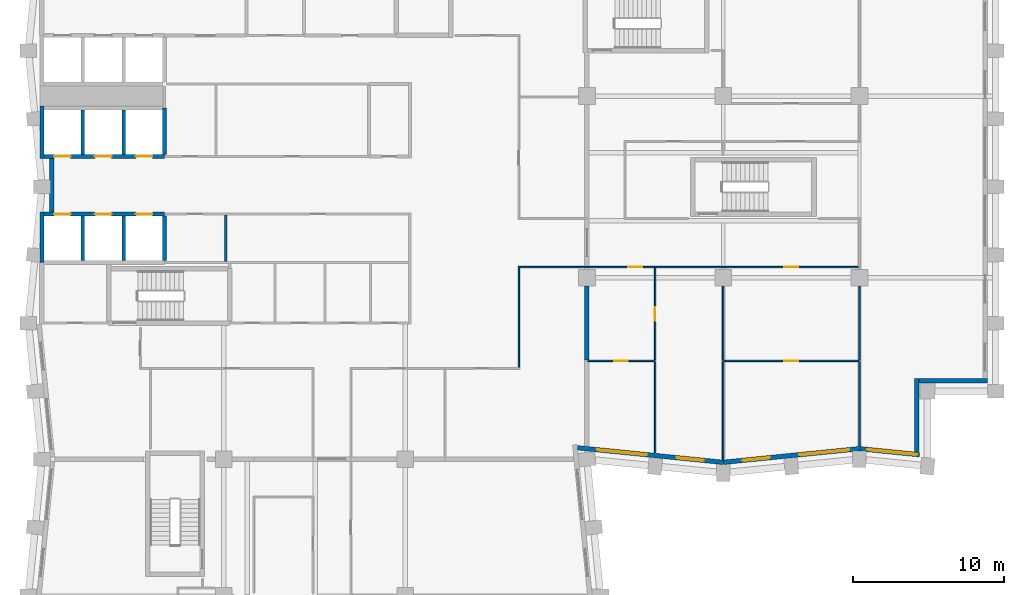
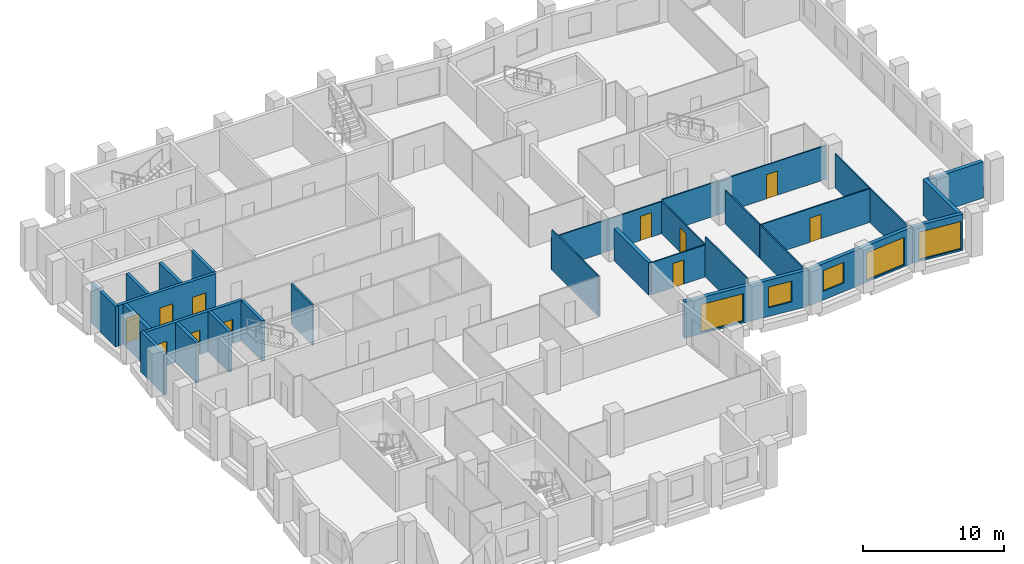
# One storey, part 5 of 10: 31 walls, 11 doors, 5 windows, 16 openings.
"""IFC4 building model written with IfcOpenShell, lengths in metres."""

from ifc_helpers import new_model, si_unit, direction, frame, frame_2d, origin, place, context, subcontext, project, spatial, rectangle, extrude, material, layer, layer_set, type_object, element, fill, save


model = new_model("IFC4")

# Units and contexts
model_context = context("Model", 3, precision=1e-05, world=origin(), true_north=direction((0.0, 1.0)))
body_context = subcontext(model_context, "Body", "Model", "MODEL_VIEW")
ifc_project = project(units=[si_unit("LENGTHUNIT", "METRE"), si_unit("AREAUNIT", "SQUARE_METRE"), si_unit("VOLUMEUNIT", "CUBIC_METRE"), si_unit("PLANEANGLEUNIT", "RADIAN"), si_unit("MASSUNIT", "GRAM", prefix="KILO")], contexts=[model_context])

# Site, building, storey
site_placement = place(None, origin())
site = spatial("IfcSite", under=ifc_project, at=site_placement, CompositionType="ELEMENT")
building_placement = place(site_placement, origin())
building = spatial("IfcBuilding", under=site, at=building_placement, Name="Brondeck Convention Tower", CompositionType="ELEMENT")
storey_placement = place(building_placement, frame((0.0, 0.0, 170.0)))
storey = spatial("IfcBuildingStorey", under=building, at=storey_placement, Name="L41", CompositionType="ELEMENT", Elevation=170.0)

# Walls
ifc_material_1 = material(Name="Concrete compartment wall C30/37", Category="concrete")
ifc_layer_1 = layer(ifc_material_1, 0.300048828125)
ifc_layer_set_1 = layer_set([ifc_layer_1], Name="Compartment wall 300")
wall_type_1 = type_object("IfcWallType", Name="Compartment wall 300", PredefinedType="PARTITIONING", material=ifc_layer_set_1)
wall_1_placement = place(storey_placement, frame((36.0, 33.550048828125, 0.0), z_axis=(0.0, 0.0, 1.0), x_axis=(0.0, 1.0, 0.0)))
element("IfcWall", 1, at=wall_1_placement, inside=storey, type_object=wall_type_1, Name="FLR-L41-W043", PredefinedType="PARTITIONING", context=body_context, shape_type="SweptSolid", body=[
    extrude(rectangle(XDim=4.89501953125, YDim=0.300048828125, at=frame_2d((2.447509765625, 0.0))), origin(), (0.0, 0.0, 1.0), 2.780029296875),
])
ifc_material_2 = material(Name="Concrete C70/85", Category="concrete")
ifc_layer_2 = layer(ifc_material_2, 0.300048828125)
ifc_layer_set_2 = layer_set([ifc_layer_2], Name="Core outer wall 300 Concrete C70/85")
wall_type_2 = type_object("IfcWallType", Name="Core outer wall 300 Concrete C70/85", PredefinedType="SHEAR", material=ifc_layer_set_2)
wall_2_placement = place(storey_placement, frame((0.64990234375, 43.324951171875, 0.0), z_axis=(0.0, 0.0, 1.0), x_axis=(0.0, 1.0, 0.0)))
element("IfcWall", 2, at=wall_2_placement, inside=storey, type_object=wall_type_2, Name="L41 core wall", PredefinedType="SHEAR", context=body_context, shape_type="SweptSolid", body=[
    extrude(rectangle(XDim=3.550048828125, YDim=0.300048828125, at=frame_2d((1.77490234375, 0.0))), origin(), (0.0, 0.0, 1.0), 3.5),
])
ifc_material_3 = material(Name="Fire-rated gypsum board partition")
ifc_layer_3 = layer(ifc_material_3, 0.14990234375)
ifc_layer_set_3 = layer_set([ifc_layer_3], Name="Core partition 150 EI 60")
wall_type_3 = type_object("IfcWallType", Name="Core partition 150 EI 60", PredefinedType="PARTITIONING", material=ifc_layer_set_3)
wall_3_placement = place(storey_placement, frame((12.14990234375, 40.074951171875, 0.0), z_axis=(0.0, 0.0, 1.0), x_axis=(0.0, 1.0, 0.0)))
element("IfcWall", 3, at=wall_3_placement, inside=storey, type_object=wall_type_3, Name="L41 core wall", PredefinedType="PARTITIONING", context=body_context, shape_type="SweptSolid", body=[
    extrude(rectangle(XDim=3.050048828125, YDim=0.14990234375, at=frame_2d((1.52490234375, 0.0))), origin(), (0.0, 0.0, 1.0), 3.5),
])

# Wall, openings, windows
ifc_material_4 = material(Name="Precast concrete C50/60 bronze finish", Category="concrete")
ifc_layer_4 = layer(ifc_material_4, 0.070068359375, Name="Bronze precast facing")
ifc_material_5 = material(Name="Mineral wool")
ifc_layer_5 = layer(ifc_material_5, 0.159912109375, Name="Insulation")
ifc_material_6 = material(Name="Concrete C35/45", Category="concrete")
ifc_layer_6 = layer(ifc_material_6, 0.070068359375, Name="Backing")
ifc_layer_set_4 = layer_set([ifc_layer_4, ifc_layer_5, ifc_layer_6], Name="External infill wall, precast concrete C50/60 bronze facing")
wall_type_4 = type_object("IfcWallType", Name="External infill wall, precast concrete C50/60 bronze facing", PredefinedType="SOLIDWALL", material=ifc_layer_set_4)
wall_4_placement = place(storey_placement, frame((45.014892578125, 26.802001953125, 0.0), z_axis=(0.0, 0.0, 1.0), x_axis=(-0.995037689759, 0.099498723402, 0.0)))
wall_4 = element("IfcWall", 4, at=wall_4_placement, inside=storey, type_object=wall_type_4, Name="ENV-EW-L41-P1-A-S-00", PredefinedType="SOLIDWALL", context=body_context, shape_type="SweptSolid", body=[
    extrude(rectangle(XDim=9.677490234375, YDim=0.300048828125, at=frame_2d((4.8388671875, 0.0))), origin(), (0.0, 0.0, 1.0), 3.14990234375),
])
opening_1_placement = place(wall_4_placement, frame((1.30615234375, 0.0, 0.75)))
opening_1 = element("IfcOpeningElement", 5, at=opening_1_placement, cuts=wall_4, Name="Opening W10", PredefinedType="OPENING", context=body_context, shape_type="SweptSolid", body=[
    extrude(rectangle(XDim=1.800048828125, YDim=1.800048828125, at=frame_2d((0.89990234375, 0.89990234375))), frame((0.0, 0.159912109375, 0.0), z_axis=(0.0, -1.0, 0.0), x_axis=(1.0, 0.0, 0.0)), (0.0, 0.0, 1.0), 0.320068359375),
])
opening_2_placement = place(wall_4_placement, frame((5.07861328125, 0.0, 0.14990234375)))
opening_2 = element("IfcOpeningElement", 6, at=opening_2_placement, cuts=wall_4, Name="Opening W9", PredefinedType="OPENING", context=body_context, shape_type="SweptSolid", body=[
    extrude(rectangle(XDim=3.300048828125, YDim=2.39990234375, at=frame_2d((1.64990234375, 1.199951171875))), frame((0.0, 0.159912109375, 0.0), z_axis=(0.0, -1.0, 0.0), x_axis=(1.0, 0.0, 0.0)), (0.0, 0.0, 1.0), 0.320068359375),
])
ifc_material_7 = material(Name="Bronze tinted double glazing", Category="glass")
window_type_1 = type_object("IfcWindowType", Name="Glazed flute window, bronze tinted", PartitioningType="SINGLE_PANEL", PredefinedType="WINDOW", material=ifc_material_7)
window_1_placement = place(opening_2_placement, origin())
window_1 = element("IfcWindow", 7, at=window_1_placement, inside=storey, type_object=window_type_1, Name="ENV-WN-L41-P1-A-S-00", OverallHeight=2.39990234375, OverallWidth=3.300048828125, PartitioningType="SINGLE_PANEL", PredefinedType="WINDOW", context=body_context, shape_type="SweptSolid", body=[
    extrude(rectangle(XDim=3.300048828125, YDim=2.39990234375, at=frame_2d((1.64990234375, 1.199951171875))), frame((0.0, 0.030029296875, 0.0), z_axis=(0.0, -1.0, 0.0), x_axis=(1.0, 0.0, 0.0)), (0.0, 0.0, 1.0), 0.06005859375),
])
fill(opening_2, window_1)
window_type_2 = type_object("IfcWindowType", Name="Punched window, bronze tinted", PartitioningType="SINGLE_PANEL", PredefinedType="WINDOW", material=ifc_material_7)
window_2_placement = place(opening_1_placement, origin())
window_2 = element("IfcWindow", 8, at=window_2_placement, inside=storey, type_object=window_type_2, Name="ENV-WN-L41-P1-A-S-01", OverallHeight=1.800048828125, OverallWidth=1.800048828125, PartitioningType="SINGLE_PANEL", PredefinedType="WINDOW", context=body_context, shape_type="SweptSolid", body=[
    extrude(rectangle(XDim=1.800048828125, YDim=1.800048828125, at=frame_2d((0.89990234375, 0.89990234375))), frame((0.0, 0.030029296875, 0.0), z_axis=(0.0, -1.0, 0.0), x_axis=(1.0, 0.0, 0.0)), (0.0, 0.0, 1.0), 0.06005859375),
])
fill(opening_1, window_2)

wall_5_placement = place(storey_placement, frame((54.014892578125, 27.705078125, 0.0), z_axis=(0.0, 0.0, 1.0), x_axis=(-0.995035316196, -0.099522457379, 0.0)))
wall_5 = element("IfcWall", 9, at=wall_5_placement, inside=storey, type_object=wall_type_4, Name="ENV-EW-L41-P1-A-S-02", PredefinedType="SOLIDWALL", context=body_context, shape_type="SweptSolid", body=[
    extrude(rectangle(XDim=9.030029296875, YDim=0.300048828125, at=frame_2d((4.51513671875, 0.0))), origin(), (0.0, 0.0, 1.0), 3.14990234375),
])
opening_3_placement = place(wall_5_placement, frame((0.6962890625, 0.0, 0.14990234375)))
opening_3 = element("IfcOpeningElement", 10, at=opening_3_placement, cuts=wall_5, Name="Opening W9", PredefinedType="OPENING", context=body_context, shape_type="SweptSolid", body=[
    extrude(rectangle(XDim=3.300048828125, YDim=2.39990234375, at=frame_2d((1.64990234375, 1.199951171875))), frame((0.0, 0.159912109375, 0.0), z_axis=(0.0, -1.0, 0.0), x_axis=(1.0, 0.0, 0.0)), (0.0, 0.0, 1.0), 0.320068359375),
])
opening_4_placement = place(wall_5_placement, frame((5.968505859375, 0.0, 0.75)))
opening_4 = element("IfcOpeningElement", 11, at=opening_4_placement, cuts=wall_5, Name="Opening W10", PredefinedType="OPENING", context=body_context, shape_type="SweptSolid", body=[
    extrude(rectangle(XDim=1.800048828125, YDim=1.800048828125, at=frame_2d((0.89990234375, 0.89990234375))), frame((0.0, 0.159912109375, 0.0), z_axis=(0.0, -1.0, 0.0), x_axis=(1.0, 0.0, 0.0)), (0.0, 0.0, 1.0), 0.320068359375),
])
window_3_placement = place(opening_3_placement, origin())
window_3 = element("IfcWindow", 12, at=window_3_placement, inside=storey, type_object=window_type_1, Name="ENV-WN-L41-P1-A-S-03", OverallHeight=2.39990234375, OverallWidth=3.300048828125, PartitioningType="SINGLE_PANEL", PredefinedType="WINDOW", context=body_context, shape_type="SweptSolid", body=[
    extrude(rectangle(XDim=3.300048828125, YDim=2.39990234375, at=frame_2d((1.64990234375, 1.199951171875))), frame((0.0, 0.030029296875, 0.0), z_axis=(0.0, -1.0, 0.0), x_axis=(1.0, 0.0, 0.0)), (0.0, 0.0, 1.0), 0.06005859375),
])
fill(opening_3, window_3)
window_4_placement = place(opening_4_placement, origin())
window_4 = element("IfcWindow", 13, at=window_4_placement, inside=storey, type_object=window_type_2, Name="ENV-WN-L41-P1-A-S-02", OverallHeight=1.800048828125, OverallWidth=1.800048828125, PartitioningType="SINGLE_PANEL", PredefinedType="WINDOW", context=body_context, shape_type="SweptSolid", body=[
    extrude(rectangle(XDim=1.800048828125, YDim=1.800048828125, at=frame_2d((0.89990234375, 0.89990234375))), frame((0.0, 0.030029296875, 0.0), z_axis=(0.0, -1.0, 0.0), x_axis=(1.0, 0.0, 0.0)), (0.0, 0.0, 1.0), 0.06005859375),
])
fill(opening_4, window_4)

# Wall, opening, window
wall_6_placement = place(storey_placement, frame((57.96484375, 27.306884765625, 0.0), z_axis=(0.0, 0.0, 1.0), x_axis=(-0.99503596767, 0.099515943658, 0.0)))
wall_6 = element("IfcWall", 14, at=wall_6_placement, inside=storey, type_object=wall_type_4, Name="ENV-EW-L41-P1-A-S-04", PredefinedType="SOLIDWALL", context=body_context, shape_type="SweptSolid", body=[
    extrude(rectangle(XDim=3.95458984375, YDim=0.300048828125, at=frame_2d((1.977294921875, 0.0))), origin(), (0.0, 0.0, 1.0), 3.14990234375),
])
opening_5_placement = place(wall_6_placement, frame((0.14990234375, 0.0, 0.14990234375)))
opening_5 = element("IfcOpeningElement", 15, at=opening_5_placement, cuts=wall_6, Name="Opening W9", PredefinedType="OPENING", context=body_context, shape_type="SweptSolid", body=[
    extrude(rectangle(XDim=3.300048828125, YDim=2.39990234375, at=frame_2d((1.64990234375, 1.199951171875))), frame((0.0, 0.159912109375, 0.0), z_axis=(0.0, -1.0, 0.0), x_axis=(1.0, 0.0, 0.0)), (0.0, 0.0, 1.0), 0.320068359375),
])
window_5_placement = place(opening_5_placement, origin())
window_5 = element("IfcWindow", 16, at=window_5_placement, inside=storey, type_object=window_type_1, Name="ENV-WN-L41-P1-A-S-04", OverallHeight=2.39990234375, OverallWidth=3.300048828125, PartitioningType="SINGLE_PANEL", PredefinedType="WINDOW", context=body_context, shape_type="SweptSolid", body=[
    extrude(rectangle(XDim=3.300048828125, YDim=2.39990234375, at=frame_2d((1.64990234375, 1.199951171875))), frame((0.0, 0.030029296875, 0.0), z_axis=(0.0, -1.0, 0.0), x_axis=(1.0, 0.0, 0.0)), (0.0, 0.0, 1.0), 0.06005859375),
])
fill(opening_5, window_5)

# Walls
wall_7_placement = place(storey_placement, frame((57.800048828125, 32.35009765625, 0.0), z_axis=(0.0, 0.0, 1.0), x_axis=(0.0, -1.0, 0.0)))
element("IfcWall", 17, at=wall_7_placement, inside=storey, type_object=wall_type_4, Name="ENV-EW-L41-P1-NC-SEA63-01", PredefinedType="SOLIDWALL", context=body_context, shape_type="SweptSolid", body=[
    extrude(rectangle(XDim=4.87060546875, YDim=0.300048828125, at=frame_2d((2.435302734375, 0.0))), origin(), (0.0, 0.0, 1.0), 3.14990234375),
])
wall_8_placement = place(storey_placement, frame((62.449951171875, 32.199951171875, 0.0), z_axis=(0.0, 0.0, 1.0), x_axis=(-1.0, 0.0, 0.0)))
element("IfcWall", 18, at=wall_8_placement, inside=storey, type_object=wall_type_4, Name="ENV-EW-L41-P1-NC-SEA63-02", PredefinedType="SOLIDWALL", context=body_context, shape_type="SweptSolid", body=[
    extrude(rectangle(XDim=4.501953125, YDim=0.300048828125, at=frame_2d((2.2509765625, 0.0))), origin(), (0.0, 0.0, 1.0), 3.14990234375),
])

# Wall, openings, doors
ifc_layer_7 = layer(ifc_material_2, 0.25)
ifc_layer_set_5 = layer_set([ifc_layer_7], Name="Lift shaft wall 250 Concrete C70/85")
wall_type_5 = type_object("IfcWallType", Name="Lift shaft wall 250 Concrete C70/85", PredefinedType="SHEAR", material=ifc_layer_set_5)
wall_9_placement = place(storey_placement, frame((0.125, 43.199951171875, 0.0), z_axis=(0.0, 0.0, 1.0), x_axis=(1.0, 0.0, 0.0)))
wall_9 = element("IfcWall", 19, at=wall_9_placement, inside=storey, type_object=wall_type_5, Name="L41 core wall", PredefinedType="SHEAR", context=body_context, shape_type="SweptSolid", body=[
    extrude(rectangle(XDim=7.97509765625, YDim=0.25, at=frame_2d((3.987548828125, 0.0))), origin(), (0.0, 0.0, 1.0), 3.5),
])
opening_6_placement = place(wall_9_placement, frame((0.675048828125, 0.0, 0.0)))
opening_6 = element("IfcOpeningElement", 20, at=opening_6_placement, cuts=wall_9, Name="Opening C23-24", PredefinedType="OPENING", context=body_context, shape_type="SweptSolid", body=[
    extrude(rectangle(XDim=1.10009765625, YDim=2.10009765625, at=frame_2d((0.550048828125, 1.050048828125))), frame((0.0, 0.135009765625, 0.0), z_axis=(0.0, -1.0, 0.0), x_axis=(1.0, 0.0, 0.0)), (0.0, 0.0, 1.0), 0.27001953125),
])
opening_7_placement = place(wall_9_placement, frame((3.375, 0.0, 0.0)))
opening_7 = element("IfcOpeningElement", 21, at=opening_7_placement, cuts=wall_9, Name="Opening C23-25", PredefinedType="OPENING", context=body_context, shape_type="SweptSolid", body=[
    extrude(rectangle(XDim=1.10009765625, YDim=2.10009765625, at=frame_2d((0.550048828125, 1.050048828125))), frame((0.0, 0.135009765625, 0.0), z_axis=(0.0, -1.0, 0.0), x_axis=(1.0, 0.0, 0.0)), (0.0, 0.0, 1.0), 0.27001953125),
])
opening_8_placement = place(wall_9_placement, frame((6.074951171875, 0.0, 0.0)))
opening_8 = element("IfcOpeningElement", 22, at=opening_8_placement, cuts=wall_9, Name="Opening C23-26", PredefinedType="OPENING", context=body_context, shape_type="SweptSolid", body=[
    extrude(rectangle(XDim=1.10009765625, YDim=2.10009765625, at=frame_2d((0.550048828125, 1.050048828125))), frame((0.0, 0.135009765625, 0.0), z_axis=(0.0, -1.0, 0.0), x_axis=(1.0, 0.0, 0.0)), (0.0, 0.0, 1.0), 0.27001953125),
])
ifc_material_8 = material(Name="Stainless steel lift door", Category="steel")
door_type_1 = type_object("IfcDoorType", Name="Lift landing door 1100x2100 EI 180", OperationType="DOUBLE_DOOR_SLIDING", PredefinedType="DOOR", material=ifc_material_8)
door_1_placement = place(opening_6_placement, origin())
door_1 = element("IfcDoor", 23, at=door_1_placement, inside=storey, type_object=door_type_1, Name="L41 Lift landing door HR1", OperationType="DOUBLE_DOOR_SLIDING", OverallHeight=2.10009765625, OverallWidth=1.10009765625, PredefinedType="DOOR", context=body_context, shape_type="SweptSolid", body=[
    extrude(rectangle(XDim=1.10009765625, YDim=2.10009765625, at=frame_2d((0.550048828125, 1.050048828125))), frame((0.0, 0.02490234375, 0.0), z_axis=(0.0, -1.0, 0.0), x_axis=(1.0, 0.0, 0.0)), (0.0, 0.0, 1.0), 0.050048828125),
])
fill(opening_6, door_1)
door_2_placement = place(opening_7_placement, origin())
door_2 = element("IfcDoor", 24, at=door_2_placement, inside=storey, type_object=door_type_1, Name="L41 Lift landing door HR2", OperationType="DOUBLE_DOOR_SLIDING", OverallHeight=2.10009765625, OverallWidth=1.10009765625, PredefinedType="DOOR", context=body_context, shape_type="SweptSolid", body=[
    extrude(rectangle(XDim=1.10009765625, YDim=2.10009765625, at=frame_2d((0.550048828125, 1.050048828125))), frame((0.0, 0.02490234375, 0.0), z_axis=(0.0, -1.0, 0.0), x_axis=(1.0, 0.0, 0.0)), (0.0, 0.0, 1.0), 0.050048828125),
])
fill(opening_7, door_2)
door_3_placement = place(opening_8_placement, origin())
door_3 = element("IfcDoor", 25, at=door_3_placement, inside=storey, type_object=door_type_1, Name="L41 Lift landing door HR3", OperationType="DOUBLE_DOOR_SLIDING", OverallHeight=2.10009765625, OverallWidth=1.10009765625, PredefinedType="DOOR", context=body_context, shape_type="SweptSolid", body=[
    extrude(rectangle(XDim=1.10009765625, YDim=2.10009765625, at=frame_2d((0.550048828125, 1.050048828125))), frame((0.0, 0.02490234375, 0.0), z_axis=(0.0, -1.0, 0.0), x_axis=(1.0, 0.0, 0.0)), (0.0, 0.0, 1.0), 0.050048828125),
])
fill(opening_8, door_3)

wall_10_placement = place(storey_placement, frame((0.125, 47.0, 0.0), z_axis=(0.0, 0.0, 1.0), x_axis=(1.0, 0.0, 0.0)))
wall_10 = element("IfcWall", 26, at=wall_10_placement, inside=storey, type_object=wall_type_5, Name="L41 core wall", PredefinedType="SHEAR", context=body_context, shape_type="SweptSolid", body=[
    extrude(rectangle(XDim=7.97509765625, YDim=0.25, at=frame_2d((3.987548828125, 0.0))), origin(), (0.0, 0.0, 1.0), 3.5),
])
opening_9_placement = place(wall_10_placement, frame((0.675048828125, 0.0, 0.0)))
opening_9 = element("IfcOpeningElement", 27, at=opening_9_placement, cuts=wall_10, Name="Opening C23-27", PredefinedType="OPENING", context=body_context, shape_type="SweptSolid", body=[
    extrude(rectangle(XDim=1.10009765625, YDim=2.10009765625, at=frame_2d((0.550048828125, 1.050048828125))), frame((0.0, 0.135009765625, 0.0), z_axis=(0.0, -1.0, 0.0), x_axis=(1.0, 0.0, 0.0)), (0.0, 0.0, 1.0), 0.27001953125),
])
opening_10_placement = place(wall_10_placement, frame((3.375, 0.0, 0.0)))
opening_10 = element("IfcOpeningElement", 28, at=opening_10_placement, cuts=wall_10, Name="Opening C23-28", PredefinedType="OPENING", context=body_context, shape_type="SweptSolid", body=[
    extrude(rectangle(XDim=1.10009765625, YDim=2.10009765625, at=frame_2d((0.550048828125, 1.050048828125))), frame((0.0, 0.135009765625, 0.0), z_axis=(0.0, -1.0, 0.0), x_axis=(1.0, 0.0, 0.0)), (0.0, 0.0, 1.0), 0.27001953125),
])
opening_11_placement = place(wall_10_placement, frame((6.074951171875, 0.0, 0.0)))
opening_11 = element("IfcOpeningElement", 29, at=opening_11_placement, cuts=wall_10, Name="Opening C23-29", PredefinedType="OPENING", context=body_context, shape_type="SweptSolid", body=[
    extrude(rectangle(XDim=1.10009765625, YDim=2.10009765625, at=frame_2d((0.550048828125, 1.050048828125))), frame((0.0, 0.135009765625, 0.0), z_axis=(0.0, -1.0, 0.0), x_axis=(1.0, 0.0, 0.0)), (0.0, 0.0, 1.0), 0.27001953125),
])
door_4_placement = place(opening_9_placement, origin())
door_4 = element("IfcDoor", 30, at=door_4_placement, inside=storey, type_object=door_type_1, Name="L41 Lift landing door HR4", OperationType="DOUBLE_DOOR_SLIDING", OverallHeight=2.10009765625, OverallWidth=1.10009765625, PredefinedType="DOOR", context=body_context, shape_type="SweptSolid", body=[
    extrude(rectangle(XDim=1.10009765625, YDim=2.10009765625, at=frame_2d((0.550048828125, 1.050048828125))), frame((0.0, 0.02490234375, 0.0), z_axis=(0.0, -1.0, 0.0), x_axis=(1.0, 0.0, 0.0)), (0.0, 0.0, 1.0), 0.050048828125),
])
fill(opening_9, door_4)
door_5_placement = place(opening_10_placement, origin())
door_5 = element("IfcDoor", 31, at=door_5_placement, inside=storey, type_object=door_type_1, Name="L41 Lift landing door HR5", OperationType="DOUBLE_DOOR_SLIDING", OverallHeight=2.10009765625, OverallWidth=1.10009765625, PredefinedType="DOOR", context=body_context, shape_type="SweptSolid", body=[
    extrude(rectangle(XDim=1.10009765625, YDim=2.10009765625, at=frame_2d((0.550048828125, 1.050048828125))), frame((0.0, 0.02490234375, 0.0), z_axis=(0.0, -1.0, 0.0), x_axis=(1.0, 0.0, 0.0)), (0.0, 0.0, 1.0), 0.050048828125),
])
fill(opening_10, door_5)
door_6_placement = place(opening_11_placement, origin())
door_6 = element("IfcDoor", 32, at=door_6_placement, inside=storey, type_object=door_type_1, Name="L41 Lift landing door HR6", OperationType="DOUBLE_DOOR_SLIDING", OverallHeight=2.10009765625, OverallWidth=1.10009765625, PredefinedType="DOOR", context=body_context, shape_type="SweptSolid", body=[
    extrude(rectangle(XDim=1.10009765625, YDim=2.10009765625, at=frame_2d((0.550048828125, 1.050048828125))), frame((0.0, 0.02490234375, 0.0), z_axis=(0.0, -1.0, 0.0), x_axis=(1.0, 0.0, 0.0)), (0.0, 0.0, 1.0), 0.050048828125),
])
fill(opening_11, door_6)

# Walls
wall_11_placement = place(storey_placement, frame((0.0, 40.0, 0.0), z_axis=(0.0, 0.0, 1.0), x_axis=(0.0, 1.0, 0.0)))
element("IfcWall", 33, at=wall_11_placement, inside=storey, type_object=wall_type_5, Name="L41 core wall", PredefinedType="SHEAR", context=body_context, shape_type="SweptSolid", body=[
    extrude(rectangle(XDim=3.324951171875, YDim=0.25, at=frame_2d((1.66259765625, 0.0))), origin(), (0.0, 0.0, 1.0), 3.5),
])
wall_12_placement = place(storey_placement, frame((0.0, 46.875, 0.0), z_axis=(0.0, 0.0, 1.0), x_axis=(0.0, 1.0, 0.0)))
element("IfcWall", 34, at=wall_12_placement, inside=storey, type_object=wall_type_5, Name="L41 core wall", PredefinedType="SHEAR", context=body_context, shape_type="SweptSolid", body=[
    extrude(rectangle(XDim=3.47509765625, YDim=0.25, at=frame_2d((1.737548828125, 0.0))), origin(), (0.0, 0.0, 1.0), 3.5),
])
for number, where, z_axis, x_axis, name in (
    (35, (2.699951171875, 40.125, 0.0), (0.0, 0.0, 1.0), (0.0, 1.0, 0.0), "L41 core wall"),
    (36, (2.699951171875, 47.125, 0.0), (0.0, 0.0, 1.0), (0.0, 1.0, 0.0), "L41 core wall"),
    (37, (5.39990234375, 40.125, 0.0), (0.0, 0.0, 1.0), (0.0, 1.0, 0.0), "L41 core wall"),
    (38, (5.39990234375, 47.125, 0.0), (0.0, 0.0, 1.0), (0.0, 1.0, 0.0), "L41 core wall"),
    (39, (8.10009765625, 40.125, 0.0), (0.0, 0.0, 1.0), (0.0, 1.0, 0.0), "L41 core wall"),
):
    element("IfcWall", number, at=place(storey_placement, frame(where, z_axis=z_axis, x_axis=x_axis)), inside=storey, type_object=wall_type_5, Name=name, PredefinedType="SHEAR", context=body_context, shape_type="SweptSolid", body=[
        extrude(rectangle(XDim=2.949951171875, YDim=0.25, at=frame_2d((1.47509765625, 0.0))), origin(), (0.0, 0.0, 1.0), 3.5),
    ])
wall_13_placement = place(storey_placement, frame((8.10009765625, 47.125, 0.0), z_axis=(0.0, 0.0, 1.0), x_axis=(0.0, 1.0, 0.0)))
element("IfcWall", 40, at=wall_13_placement, inside=storey, type_object=wall_type_5, Name="L41 core wall", PredefinedType="SHEAR", context=body_context, shape_type="SweptSolid", body=[
    extrude(rectangle(XDim=3.074951171875, YDim=0.25, at=frame_2d((1.53759765625, 0.0))), origin(), (0.0, 0.0, 1.0), 3.5),
])
ifc_material_9 = material(Name="Gypsum board partition on steel studs", Category="steel")
ifc_layer_8 = layer(ifc_material_9, 0.10009765625)
ifc_layer_set_6 = layer_set([ifc_layer_8], Name="Room partition 100")
wall_type_6 = type_object("IfcWallType", Name="Room partition 100", PredefinedType="PARTITIONING", material=ifc_layer_set_6)
wall_14_placement = place(storey_placement, frame((54.0, 27.874267578125, 0.0), z_axis=(0.0, 0.0, 1.0), x_axis=(0.0, 1.0, 0.0)))
element("IfcWall", 41, at=wall_14_placement, inside=storey, type_object=wall_type_6, Name="FLR-L41-W029", PredefinedType="PARTITIONING", context=body_context, shape_type="SweptSolid", body=[
    extrude(rectangle(XDim=5.57568359375, YDim=0.10009765625, at=frame_2d((2.787841796875, 0.0))), origin(), (0.0, 0.0, 1.0), 2.929931640625),
])
wall_15_placement = place(storey_placement, frame((40.5, 33.449951171875, 0.0), z_axis=(0.0, 0.0, 1.0), x_axis=(0.0, -1.0, 0.0)))
element("IfcWall", 42, at=wall_15_placement, inside=storey, type_object=wall_type_6, Name="FLR-L41-W039", PredefinedType="PARTITIONING", context=body_context, shape_type="SweptSolid", body=[
    extrude(rectangle(XDim=6.025634765625, YDim=0.10009765625, at=frame_2d((3.0126953125, 0.0))), origin(), (0.0, 0.0, 1.0), 3.47998046875),
])
wall_16_placement = place(storey_placement, frame((45.0, 33.449951171875, 0.0), z_axis=(0.0, 0.0, 1.0), x_axis=(0.0, -1.0, 0.0)))
element("IfcWall", 43, at=wall_16_placement, inside=storey, type_object=wall_type_6, Name="FLR-L41-W040", PredefinedType="PARTITIONING", context=body_context, shape_type="SweptSolid", body=[
    extrude(rectangle(XDim=6.475830078125, YDim=0.10009765625, at=frame_2d((3.23779296875, 0.0))), origin(), (0.0, 0.0, 1.0), 2.929931640625),
])

# Wall, opening, door
wall_17_placement = place(storey_placement, frame((40.449951171875, 33.5, 0.0), z_axis=(0.0, 0.0, 1.0), x_axis=(-1.0, 0.0, 0.0)))
wall_17 = element("IfcWall", 44, at=wall_17_placement, inside=storey, type_object=wall_type_6, Name="FLR-L41-W041", PredefinedType="PARTITIONING", context=body_context, shape_type="SweptSolid", body=[
    extrude(rectangle(XDim=4.39990234375, YDim=0.10009765625, at=frame_2d((2.199951171875, 0.0))), origin(), (0.0, 0.0, 1.0), 2.780029296875),
])
opening_12_placement = place(wall_17_placement, frame((1.75, 0.0, 0.0)))
opening_12 = element("IfcOpeningElement", 45, at=opening_12_placement, cuts=wall_17, Name="Opening OF-H-007", PredefinedType="OPENING", context=body_context, shape_type="SweptSolid", body=[
    extrude(rectangle(XDim=0.89990234375, YDim=2.10009765625, at=frame_2d((0.449951171875, 1.050048828125))), frame((0.0, 0.06005859375, 0.0), z_axis=(0.0, -1.0, 0.0), x_axis=(1.0, 0.0, 0.0)), (0.0, 0.0, 1.0), 0.1201171875),
])
ifc_material_10 = material(Name="Solid timber door leaf", Category="wood")
door_type_2 = type_object("IfcDoorType", Name="Single door 900", OperationType="NOTDEFINED", PredefinedType="DOOR", material=ifc_material_10)
door_7_placement = place(opening_12_placement, origin())
door_7 = element("IfcDoor", 46, at=door_7_placement, inside=storey, type_object=door_type_2, Name="Door OF-H-007", OperationType="SINGLE_SWING_LEFT", OverallHeight=2.10009765625, OverallWidth=0.89990234375, PredefinedType="DOOR", context=body_context, shape_type="SweptSolid", body=[
    extrude(rectangle(XDim=0.89990234375, YDim=2.10009765625, at=frame_2d((0.449951171875, 1.050048828125))), frame((0.0, 0.02490234375, 0.0), z_axis=(0.0, -1.0, 0.0), x_axis=(1.0, 0.0, 0.0)), (0.0, 0.0, 1.0), 0.050048828125),
])
fill(opening_12, door_7)

wall_18_placement = place(storey_placement, frame((53.949951171875, 33.5, 0.0), z_axis=(0.0, 0.0, 1.0), x_axis=(-1.0, 0.0, 0.0)))
wall_18 = element("IfcWall", 47, at=wall_18_placement, inside=storey, type_object=wall_type_6, Name="FLR-L41-W042", PredefinedType="PARTITIONING", context=body_context, shape_type="SweptSolid", body=[
    extrude(rectangle(XDim=8.89990234375, YDim=0.10009765625, at=frame_2d((4.449951171875, 0.0))), origin(), (0.0, 0.0, 1.0), 2.929931640625),
])
opening_13_placement = place(wall_18_placement, frame((4.0, 0.0, 0.0)))
opening_13 = element("IfcOpeningElement", 48, at=opening_13_placement, cuts=wall_18, Name="Opening OF-H-010", PredefinedType="OPENING", context=body_context, shape_type="SweptSolid", body=[
    extrude(rectangle(XDim=0.89990234375, YDim=2.10009765625, at=frame_2d((0.449951171875, 1.050048828125))), frame((0.0, 0.06005859375, 0.0), z_axis=(0.0, -1.0, 0.0), x_axis=(1.0, 0.0, 0.0)), (0.0, 0.0, 1.0), 0.1201171875),
])
door_8_placement = place(opening_13_placement, origin())
door_8 = element("IfcDoor", 49, at=door_8_placement, inside=storey, type_object=door_type_2, Name="Door OF-H-010", OperationType="SINGLE_SWING_LEFT", OverallHeight=2.10009765625, OverallWidth=0.89990234375, PredefinedType="DOOR", context=body_context, shape_type="SweptSolid", body=[
    extrude(rectangle(XDim=0.89990234375, YDim=2.10009765625, at=frame_2d((0.449951171875, 1.050048828125))), frame((0.0, 0.02490234375, 0.0), z_axis=(0.0, -1.0, 0.0), x_axis=(1.0, 0.0, 0.0)), (0.0, 0.0, 1.0), 0.050048828125),
])
fill(opening_13, door_8)

# Walls
for number, where, z_axis, x_axis, name in (
    (50, (54.0, 33.550048828125, 0.0), (0.0, 0.0, 1.0), (0.0, 1.0, 0.0), "FLR-L41-W044"),
    (51, (45.0, 38.445068359375, 0.0), (0.0, 0.0, 1.0), (0.0, -1.0, 0.0), "FLR-L41-W045"),
):
    element("IfcWall", number, at=place(storey_placement, frame(where, z_axis=z_axis, x_axis=x_axis)), inside=storey, type_object=wall_type_6, Name=name, PredefinedType="PARTITIONING", context=body_context, shape_type="SweptSolid", body=[
        extrude(rectangle(XDim=4.89501953125, YDim=0.10009765625, at=frame_2d((2.447509765625, 0.0))), origin(), (0.0, 0.0, 1.0), 2.929931640625),
    ])
wall_19_placement = place(storey_placement, frame((31.5, 39.64990234375, 0.0), z_axis=(0.0, 0.0, 1.0), x_axis=(0.0, -1.0, 0.0)))
element("IfcWall", 52, at=wall_19_placement, inside=storey, type_object=wall_type_6, Name="FLR-L41-W046", PredefinedType="PARTITIONING", context=body_context, shape_type="SweptSolid", body=[
    extrude(rectangle(XDim=6.599853515625, YDim=0.10009765625, at=frame_2d((3.2998046875, 0.0))), origin(), (0.0, 0.0, 1.0), 3.47998046875),
])

# Wall, opening, door
wall_20_placement = place(storey_placement, frame((40.5, 39.64990234375, 0.0), z_axis=(0.0, 0.0, 1.0), x_axis=(0.0, -1.0, 0.0)))
wall_20 = element("IfcWall", 53, at=wall_20_placement, inside=storey, type_object=wall_type_6, Name="FLR-L41-W047", PredefinedType="PARTITIONING", context=body_context, shape_type="SweptSolid", body=[
    extrude(rectangle(XDim=6.099853515625, YDim=0.10009765625, at=frame_2d((3.0498046875, 0.0))), origin(), (0.0, 0.0, 1.0), 2.780029296875),
])
opening_14_placement = place(wall_20_placement, frame((2.60009765625, 0.0, 0.0)))
opening_14 = element("IfcOpeningElement", 54, at=opening_14_placement, cuts=wall_20, Name="Opening OF-H-008", PredefinedType="OPENING", context=body_context, shape_type="SweptSolid", body=[
    extrude(rectangle(XDim=0.89990234375, YDim=2.10009765625, at=frame_2d((0.449951171875, 1.050048828125))), frame((0.0, 0.06005859375, 0.0), z_axis=(0.0, -1.0, 0.0), x_axis=(1.0, 0.0, 0.0)), (0.0, 0.0, 1.0), 0.1201171875),
])
door_9_placement = place(opening_14_placement, origin())
door_9 = element("IfcDoor", 55, at=door_9_placement, inside=storey, type_object=door_type_2, Name="Door OF-H-008", OperationType="SINGLE_SWING_LEFT", OverallHeight=2.10009765625, OverallWidth=0.89990234375, PredefinedType="DOOR", context=body_context, shape_type="SweptSolid", body=[
    extrude(rectangle(XDim=0.89990234375, YDim=2.10009765625, at=frame_2d((0.449951171875, 1.050048828125))), frame((0.0, 0.02490234375, 0.0), z_axis=(0.0, -1.0, 0.0), x_axis=(1.0, 0.0, 0.0)), (0.0, 0.0, 1.0), 0.050048828125),
])
fill(opening_14, door_9)

# Wall
wall_21_placement = place(storey_placement, frame((36.0, 39.699951171875, 0.0), z_axis=(0.0, 0.0, 1.0), x_axis=(-1.0, 0.0, 0.0)))
element("IfcWall", 56, at=wall_21_placement, inside=storey, type_object=wall_type_6, Name="FLR-L41-W048", PredefinedType="PARTITIONING", context=body_context, shape_type="SweptSolid", body=[
    extrude(rectangle(XDim=4.550048828125, YDim=0.10009765625, at=frame_2d((2.27490234375, 0.0))), origin(), (0.0, 0.0, 1.0), 2.780029296875),
])

# Wall, opening, door
wall_22_placement = place(storey_placement, frame((40.5, 39.699951171875, 0.0), z_axis=(0.0, 0.0, 1.0), x_axis=(-1.0, 0.0, 0.0)))
wall_22 = element("IfcWall", 57, at=wall_22_placement, inside=storey, type_object=wall_type_6, Name="FLR-L41-W049", PredefinedType="PARTITIONING", context=body_context, shape_type="SweptSolid", body=[
    extrude(rectangle(XDim=4.5, YDim=0.10009765625, at=frame_2d((2.25, 0.0))), origin(), (0.0, 0.0, 1.0), 2.780029296875),
])
opening_15_placement = place(wall_22_placement, frame((0.8544921875, 0.0, 0.0)))
opening_15 = element("IfcOpeningElement", 58, at=opening_15_placement, cuts=wall_22, Name="Opening OF-H-006", PredefinedType="OPENING", context=body_context, shape_type="SweptSolid", body=[
    extrude(rectangle(XDim=0.89990234375, YDim=2.10009765625, at=frame_2d((0.449951171875, 1.050048828125))), frame((0.0, 0.06005859375, 0.0), z_axis=(0.0, -1.0, 0.0), x_axis=(1.0, 0.0, 0.0)), (0.0, 0.0, 1.0), 0.1201171875),
])
door_10_placement = place(opening_15_placement, origin())
door_10 = element("IfcDoor", 59, at=door_10_placement, inside=storey, type_object=door_type_2, Name="Door OF-H-006", OperationType="SINGLE_SWING_LEFT", OverallHeight=2.10009765625, OverallWidth=0.89990234375, PredefinedType="DOOR", context=body_context, shape_type="SweptSolid", body=[
    extrude(rectangle(XDim=0.89990234375, YDim=2.10009765625, at=frame_2d((0.449951171875, 1.050048828125))), frame((0.0, 0.02490234375, 0.0), z_axis=(0.0, -1.0, 0.0), x_axis=(1.0, 0.0, 0.0)), (0.0, 0.0, 1.0), 0.050048828125),
])
fill(opening_15, door_10)

# Wall
wall_23_placement = place(storey_placement, frame((45.0, 39.699951171875, 0.0), z_axis=(0.0, 0.0, 1.0), x_axis=(-1.0, 0.0, 0.0)))
element("IfcWall", 60, at=wall_23_placement, inside=storey, type_object=wall_type_6, Name="FLR-L41-W050", PredefinedType="PARTITIONING", context=body_context, shape_type="SweptSolid", body=[
    extrude(rectangle(XDim=4.5, YDim=0.10009765625, at=frame_2d((2.25, 0.0))), origin(), (0.0, 0.0, 1.0), 2.929931640625),
])

# Wall, opening, door
wall_24_placement = place(storey_placement, frame((53.949951171875, 39.699951171875, 0.0), z_axis=(0.0, 0.0, 1.0), x_axis=(-1.0, 0.0, 0.0)))
wall_24 = element("IfcWall", 61, at=wall_24_placement, inside=storey, type_object=wall_type_6, Name="FLR-L41-W051", PredefinedType="PARTITIONING", context=body_context, shape_type="SweptSolid", body=[
    extrude(rectangle(XDim=8.949951171875, YDim=0.10009765625, at=frame_2d((4.47509765625, 0.0))), origin(), (0.0, 0.0, 1.0), 2.929931640625),
])
opening_16_placement = place(wall_24_placement, frame((4.0, 0.0, 0.0)))
opening_16 = element("IfcOpeningElement", 62, at=opening_16_placement, cuts=wall_24, Name="Opening OF-H-009", PredefinedType="OPENING", context=body_context, shape_type="SweptSolid", body=[
    extrude(rectangle(XDim=0.89990234375, YDim=2.10009765625, at=frame_2d((0.449951171875, 1.050048828125))), frame((0.0, 0.06005859375, 0.0), z_axis=(0.0, -1.0, 0.0), x_axis=(1.0, 0.0, 0.0)), (0.0, 0.0, 1.0), 0.1201171875),
])
door_11_placement = place(opening_16_placement, origin())
door_11 = element("IfcDoor", 63, at=door_11_placement, inside=storey, type_object=door_type_2, Name="Door OF-H-009", OperationType="SINGLE_SWING_LEFT", OverallHeight=2.10009765625, OverallWidth=0.89990234375, PredefinedType="DOOR", context=body_context, shape_type="SweptSolid", body=[
    extrude(rectangle(XDim=0.89990234375, YDim=2.10009765625, at=frame_2d((0.449951171875, 1.050048828125))), frame((0.0, 0.02490234375, 0.0), z_axis=(0.0, -1.0, 0.0), x_axis=(1.0, 0.0, 0.0)), (0.0, 0.0, 1.0), 0.050048828125),
])
fill(opening_16, door_11)

save(model, "model.ifc")
